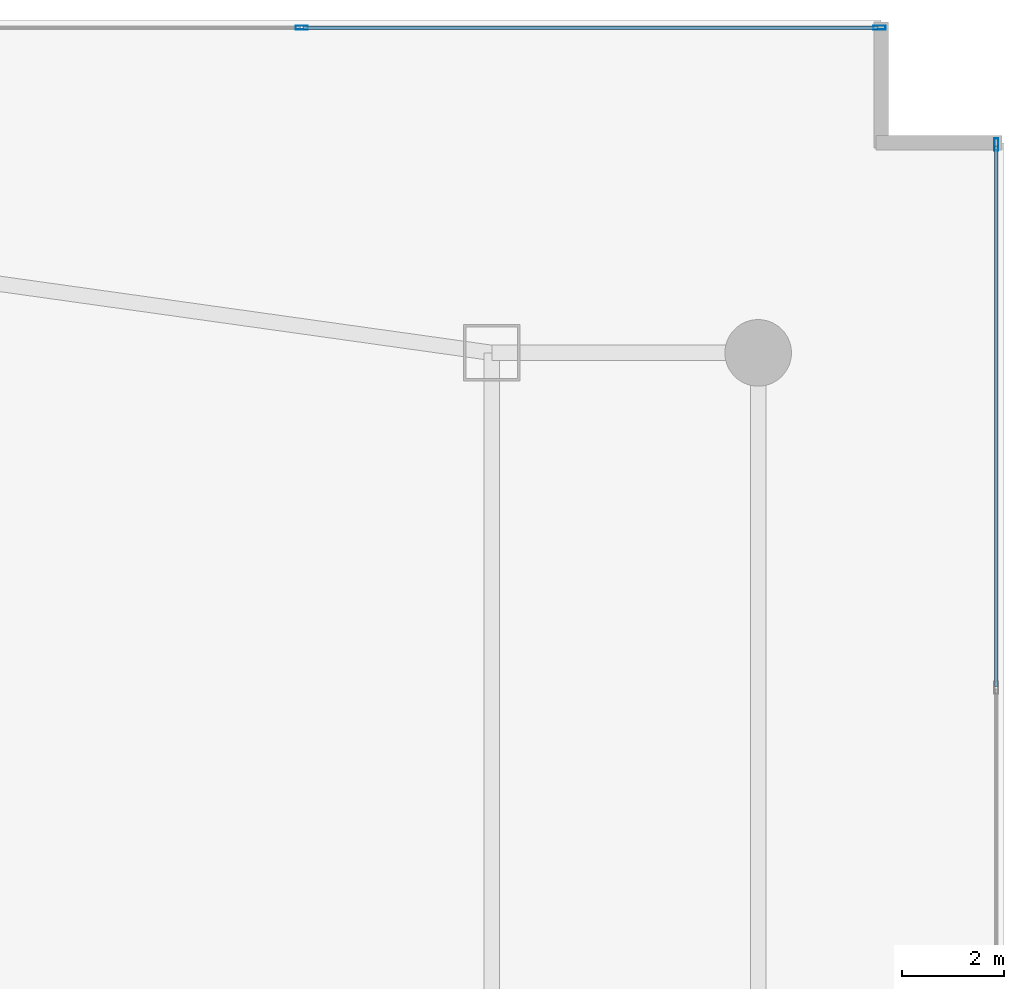
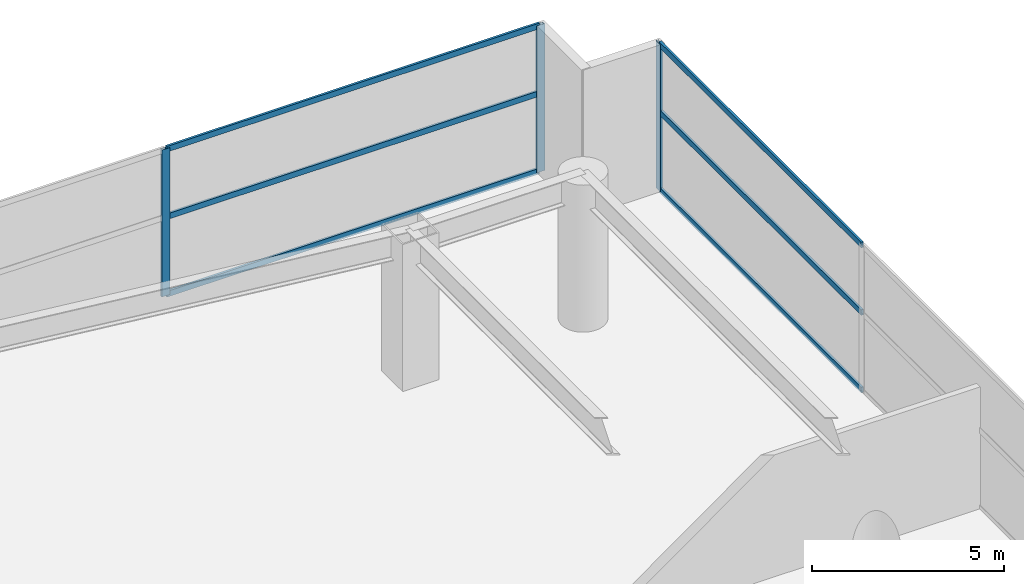
# One storey, part 28 of 35: 9 members, 2 elements without a shape of their own.
"""IFC4 building model written with IfcOpenShell, lengths in metres."""

from ifc_helpers import new_model, si_unit, direction, frame, origin, origin_2d, place, context, subcontext, project, spatial, hollow_rectangle, extrude, material, layer, layer_set, material_profile, profile_set, type_object, element, aggregate, save


model = new_model("IFC4")

# Units and contexts
model_context = context("Model", 3, precision=1e-05, world=origin(), true_north=direction((0.0, 1.0)))
body_context = subcontext(model_context, "Body", "Model", "MODEL_VIEW")
ifc_project = project(units=[si_unit("LENGTHUNIT", "METRE"), si_unit("AREAUNIT", "SQUARE_METRE"), si_unit("VOLUMEUNIT", "CUBIC_METRE"), si_unit("PLANEANGLEUNIT", "RADIAN"), si_unit("MASSUNIT", "GRAM", prefix="KILO")], contexts=[model_context])

# Site, building, storey
site_placement = place(None, origin())
site = spatial("IfcSite", under=ifc_project, at=site_placement, CompositionType="ELEMENT")
building_placement = place(site_placement, origin())
building = spatial("IfcBuilding", under=site, at=building_placement, Name="Calvorn Quay Hotel", CompositionType="ELEMENT")
storey_placement = place(building_placement, frame((0.0, 0.0, 12.0)))
storey = spatial("IfcBuildingStorey", under=building, at=storey_placement, Name="L02", CompositionType="ELEMENT", Elevation=12.0)

# Curtain wall, members
ifc_material_1 = material(Name="Pale Anodised Aluminium and Low-E Glass", Category="aluminium")
ifc_layer = layer(ifc_material_1, 0.219970703125)
ifc_layer_set = layer_set([ifc_layer], Name="CW-SYS-POD")
curtain_wall_type = type_object("IfcCurtainWallType", Name="CW-SYS-POD", PredefinedType="NOTDEFINED", material=ifc_layer_set)
curtain_wall_1_placement = place(storey_placement, origin())
curtain_wall_1 = element("IfcCurtainWall", 1, at=curtain_wall_1_placement, inside=storey, type_object=curtain_wall_type, Name="Podium Curtain Wall L02-N1", PredefinedType="NOTDEFINED")
ifc_material_2 = material(Name="Pale Anodised Aluminium 6063-T6", Category="aluminium")
ifc_material_profile_1 = material_profile(ifc_material_2, hollow_rectangle(XDim=0.080078125, YDim=0.239990234375, WallThickness=0.0048828125, at=origin_2d()), Name="ALU-M240x80x5")
ifc_profile_set_1 = profile_set([ifc_material_profile_1], Name="Pale Anodised Aluminium 6063-T6")
member_type_1 = type_object("IfcMemberType", Name="CW-SYS-POD-MUL", PredefinedType="MULLION", material=ifc_profile_set_1)
member_1_placement = place(storey_placement, frame((70.28564453125, 57.85009765625, 0.0), z_axis=(0.0, 0.0, 1.0), x_axis=(0.0, 1.0, 0.0)))
member_1 = element("IfcMember", 2, at=member_1_placement, type_object=member_type_1, Name="CW-L02-N1 mullion 7", PredefinedType="MULLION", context=body_context, shape_type="SweptSolid", body=[
    extrude(hollow_rectangle(XDim=0.080078125, YDim=0.239990234375, WallThickness=0.0048828125, at=origin_2d()), origin(), (0.0, 0.0, 1.0), 4.679931640625),
])
member_2_placement = place(storey_placement, frame((81.570068359375, 57.85009765625, 0.0), z_axis=(0.0, 0.0, 1.0), x_axis=(0.0, 1.0, 0.0)))
member_2 = element("IfcMember", 3, at=member_2_placement, type_object=member_type_1, Name="CW-L02-N1 mullion 8", PredefinedType="MULLION", context=body_context, shape_type="SweptSolid", body=[
    extrude(hollow_rectangle(XDim=0.080078125, YDim=0.239990234375, WallThickness=0.0048828125, at=origin_2d()), origin(), (0.0, 0.0, 1.0), 4.679931640625),
])

# Curtain wall, member
curtain_wall_2_placement = place(storey_placement, origin())
curtain_wall_2 = element("IfcCurtainWall", 4, at=curtain_wall_2_placement, inside=storey, type_object=curtain_wall_type, Name="Podium Curtain Wall L02-E1", PredefinedType="NOTDEFINED")
member_3_placement = place(storey_placement, frame((83.85009765625, 55.570068359375, 0.0), z_axis=(0.0, 0.0, 1.0), x_axis=(-1.0, 0.0, 0.0)))
member_3 = element("IfcMember", 5, at=member_3_placement, type_object=member_type_1, Name="CW-L02-E1 mullion 6", PredefinedType="MULLION", context=body_context, shape_type="SweptSolid", body=[
    extrude(hollow_rectangle(XDim=0.080078125, YDim=0.239990234375, WallThickness=0.0048828125, at=origin_2d()), origin(), (0.0, 0.0, 1.0), 4.679931640625),
])

# Member
ifc_material_3 = material(Name="Pale Anodised Aluminium 6063-T6", Category="aluminium")
ifc_material_profile_2 = material_profile(ifc_material_3, hollow_rectangle(XDim=0.070068359375, YDim=0.179931640625, WallThickness=0.00390625, at=origin_2d()), Name="ALU-T180x70x4")
ifc_profile_set_2 = profile_set([ifc_material_profile_2], Name="Pale Anodised Aluminium 6063-T6")
member_type_2 = type_object("IfcMemberType", Name="CW-SYS-POD-TRN", PredefinedType="USERDEFINED", material=ifc_profile_set_2)
member_4_placement = place(storey_placement, frame((70.315673828125, 57.85009765625, 0.030029296875), z_axis=(1.0, 0.0, 0.0), x_axis=(0.0, 1.0, 0.0)))
member_4 = element("IfcMember", 6, at=member_4_placement, type_object=member_type_2, Name="CW-L02-N1 transom 7.1", ObjectType="TRANSOM", PredefinedType="USERDEFINED", context=body_context, shape_type="SweptSolid", body=[
    extrude(hollow_rectangle(XDim=0.070068359375, YDim=0.179931640625, WallThickness=0.00390625, at=origin_2d()), origin(), (0.0, 0.0, 1.0), 11.224365234375),
])

member_5_placement = place(storey_placement, frame((70.315673828125, 57.85009765625, 2.5), z_axis=(1.0, 0.0, 0.0), x_axis=(0.0, 1.0, 0.0)))
member_5 = element("IfcMember", 7, at=member_5_placement, type_object=member_type_2, Name="CW-L02-N1 transom 7.2", ObjectType="TRANSOM", PredefinedType="USERDEFINED", context=body_context, shape_type="SweptSolid", body=[
    extrude(hollow_rectangle(XDim=0.070068359375, YDim=0.179931640625, WallThickness=0.00390625, at=origin_2d()), origin(), (0.0, 0.0, 1.0), 11.224365234375),
])

member_6_placement = place(storey_placement, frame((70.315673828125, 57.85009765625, 4.64990234375), z_axis=(1.0, 0.0, 0.0), x_axis=(0.0, 1.0, 0.0)))
member_6 = element("IfcMember", 8, at=member_6_placement, type_object=member_type_2, Name="CW-L02-N1 transom 7.3", ObjectType="TRANSOM", PredefinedType="USERDEFINED", context=body_context, shape_type="SweptSolid", body=[
    extrude(hollow_rectangle(XDim=0.070068359375, YDim=0.179931640625, WallThickness=0.00390625, at=origin_2d()), origin(), (0.0, 0.0, 1.0), 11.224365234375),
])

aggregate(curtain_wall_1, [member_1, member_2, member_4, member_5, member_6])

member_7_placement = place(storey_placement, frame((83.85009765625, 44.989990234375, 0.030029296875), z_axis=(0.0, 1.0, 0.0), x_axis=(-1.0, 0.0, 0.0)))
member_7 = element("IfcMember", 9, at=member_7_placement, type_object=member_type_2, Name="CW-L02-E1 transom 5.1", ObjectType="TRANSOM", PredefinedType="USERDEFINED", context=body_context, shape_type="SweptSolid", body=[
    extrude(hollow_rectangle(XDim=0.070068359375, YDim=0.179931640625, WallThickness=0.00390625, at=origin_2d()), origin(), (0.0, 0.0, 1.0), 10.550048828125),
])

member_8_placement = place(storey_placement, frame((83.85009765625, 44.989990234375, 2.5), z_axis=(0.0, 1.0, 0.0), x_axis=(-1.0, 0.0, 0.0)))
member_8 = element("IfcMember", 10, at=member_8_placement, type_object=member_type_2, Name="CW-L02-E1 transom 5.2", ObjectType="TRANSOM", PredefinedType="USERDEFINED", context=body_context, shape_type="SweptSolid", body=[
    extrude(hollow_rectangle(XDim=0.070068359375, YDim=0.179931640625, WallThickness=0.00390625, at=origin_2d()), origin(), (0.0, 0.0, 1.0), 10.550048828125),
])

member_9_placement = place(storey_placement, frame((83.85009765625, 44.989990234375, 4.64990234375), z_axis=(0.0, 1.0, 0.0), x_axis=(-1.0, 0.0, 0.0)))
member_9 = element("IfcMember", 11, at=member_9_placement, type_object=member_type_2, Name="CW-L02-E1 transom 5.3", ObjectType="TRANSOM", PredefinedType="USERDEFINED", context=body_context, shape_type="SweptSolid", body=[
    extrude(hollow_rectangle(XDim=0.070068359375, YDim=0.179931640625, WallThickness=0.00390625, at=origin_2d()), origin(), (0.0, 0.0, 1.0), 10.550048828125),
])

aggregate(curtain_wall_2, [member_3, member_7, member_8, member_9])

save(model, "model.ifc")
